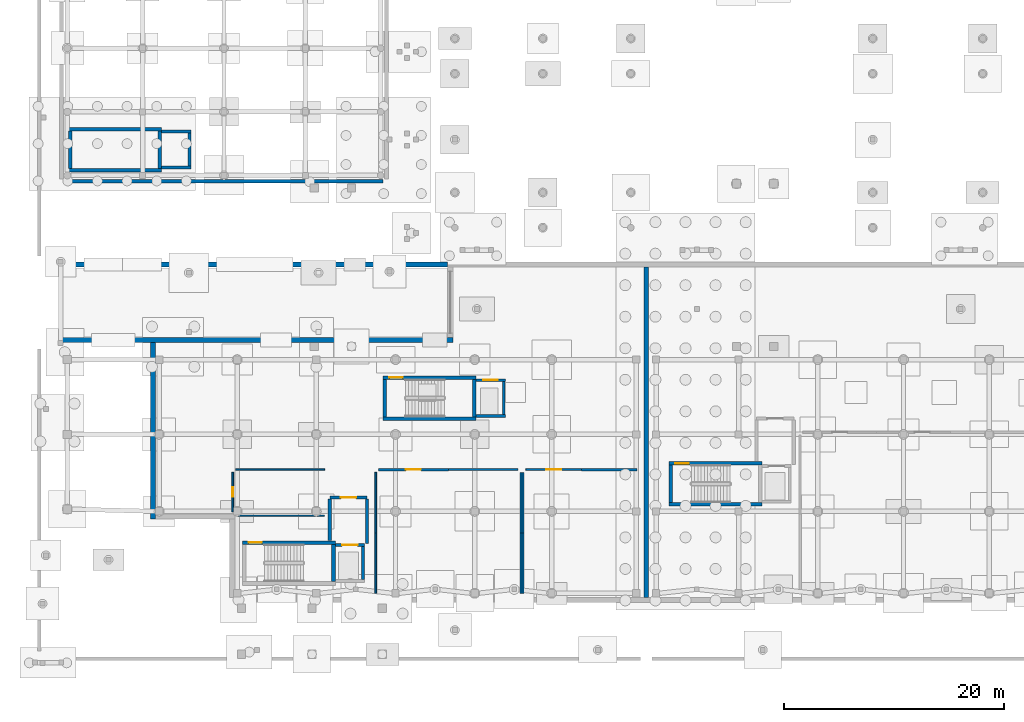
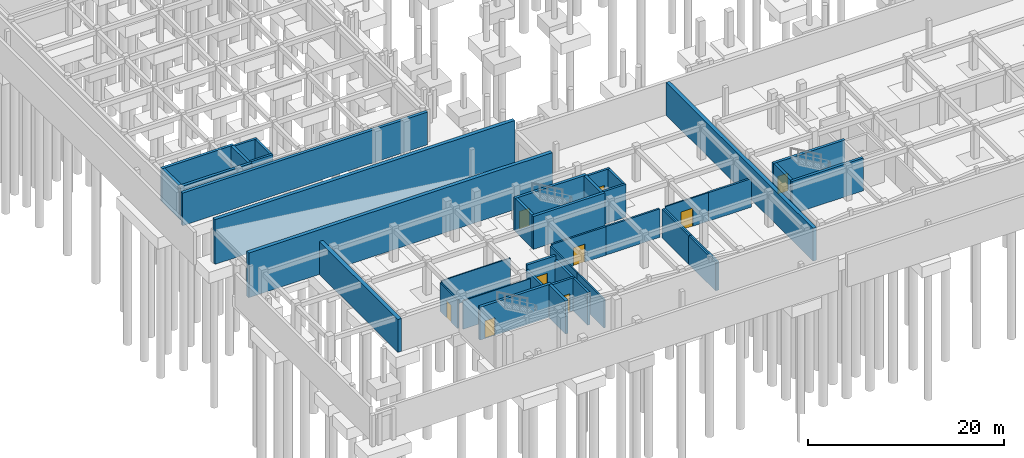
# One storey, part 15 of 22: 42 walls, 9 doors, 9 openings.
"""IFC4 building model written with IfcOpenShell, lengths in metres."""

from ifc_helpers import new_model, si_unit, direction, frame, frame_2d, origin, place, context, subcontext, project, spatial, rectangle, extrude, material, layer, layer_set, type_object, element, fill, save


model = new_model("IFC4")

# Units and contexts
model_context = context("Model", 3, precision=1e-05, world=origin(), true_north=direction((0.0, 1.0)))
body_context = subcontext(model_context, "Body", "Model", "MODEL_VIEW")
ifc_project = project(units=[si_unit("LENGTHUNIT", "METRE"), si_unit("AREAUNIT", "SQUARE_METRE"), si_unit("VOLUMEUNIT", "CUBIC_METRE"), si_unit("PLANEANGLEUNIT", "RADIAN"), si_unit("MASSUNIT", "GRAM", prefix="KILO")], contexts=[model_context])

# Site, building, storey
site_placement = place(None, origin())
site = spatial("IfcSite", under=ifc_project, at=site_placement, CompositionType="ELEMENT")
building_placement = place(site_placement, origin())
building = spatial("IfcBuilding", under=site, at=building_placement, Name="Valcora Specialist Clinic", CompositionType="ELEMENT")
storey_placement = place(building_placement, frame((0.0, 0.0, -4.419921875)))
storey = spatial("IfcBuildingStorey", under=building, at=storey_placement, Name="B1", CompositionType="ELEMENT", Elevation=-4.419921875)

# Wall, opening, door
ifc_material_1 = material(Name="Concrete C40/50", Category="concrete")
ifc_layer_1 = layer(ifc_material_1, 0.284912109375)
ifc_layer_set_1 = layer_set([ifc_layer_1], Name="Concrete C40/50")
wall_type_1 = type_object("IfcWallType", Name="TY-WL-CR285", PredefinedType="SHEAR", material=ifc_layer_set_1)
wall_1_placement = place(storey_placement, frame((24.6201171875, 9.4599609375, 0.0), z_axis=(0.0, 0.0, 1.0), x_axis=(1.0, 0.0, 0.0)))
wall_1 = element("IfcWall", 1, at=wall_1_placement, inside=storey, type_object=wall_type_1, Name="Firefighting lobby front wall WL-FFL-LF-05-B1-F", PredefinedType="SHEAR", context=body_context, shape_type="SweptSolid", body=[
    extrude(rectangle(XDim=3.39990234375, YDim=0.284912109375, at=frame_2d((1.699951171875, 0.0))), origin(), (0.0, 0.0, 1.0), 4.10498046875),
])
opening_1_placement = place(wall_1_placement, frame((1.0, 0.0, 0.0)))
opening_1 = element("IfcOpeningElement", 2, at=opening_1_placement, cuts=wall_1, Name="Opening DR-FF-140", PredefinedType="OPENING", context=body_context, shape_type="SweptSolid", body=[
    extrude(rectangle(XDim=1.39990234375, YDim=2.25, at=frame_2d((0.699951171875, 1.125))), frame((0.0, 0.15234375, 0.0), z_axis=(0.0, -1.0, 0.0), x_axis=(1.0, 0.0, 0.0)), (0.0, 0.0, 1.0), 0.304931640625),
])
ifc_material_2 = material(Name="Galvanized Hollow Metal Door Steel ASTM A653", Category="steel")
door_type_1 = type_object("IfcDoorType", Name="TY-DR-FF140", OperationType="NOTDEFINED", PredefinedType="DOOR", material=ifc_material_2)
door_1_placement = place(opening_1_placement, origin())
door_1 = element("IfcDoor", 3, at=door_1_placement, inside=storey, type_object=door_type_1, Name="Firefighting lobby fire door LF-05 B1", OperationType="SINGLE_SWING_LEFT", OverallHeight=2.25, OverallWidth=1.39990234375, PredefinedType="DOOR", context=body_context, shape_type="SweptSolid", body=[
    extrude(rectangle(XDim=1.39990234375, YDim=2.25, at=frame_2d((0.699951171875, 1.125))), frame((0.0, 0.02490234375, 0.0), z_axis=(0.0, -1.0, 0.0), x_axis=(1.0, 0.0, 0.0)), (0.0, 0.0, 1.0), 0.050048828125),
])
fill(opening_1, door_1)

# Walls
wall_2_placement = place(storey_placement, frame((24.6201171875, 5.5400390625, 0.0), z_axis=(0.0, 0.0, 1.0), x_axis=(0.0, 1.0, 0.0)))
element("IfcWall", 4, at=wall_2_placement, inside=storey, type_object=wall_type_1, Name="Firefighting lobby west wall", PredefinedType="SHEAR", context=body_context, shape_type="SweptSolid", body=[
    extrude(rectangle(XDim=3.77001953125, YDim=0.284912109375, at=frame_2d((1.885009765625, 0.0))), origin(), (0.0, 0.0, 1.0), 3.554931640625),
])
wall_3_placement = place(storey_placement, frame((28.02001953125, 5.280029296875, 0.0), z_axis=(0.0, 0.0, 1.0), x_axis=(0.0, 1.0, 0.0)))
element("IfcWall", 5, at=wall_3_placement, inside=storey, type_object=wall_type_1, Name="Firefighting lobby east wall", PredefinedType="SHEAR", context=body_context, shape_type="SweptSolid", body=[
    extrude(rectangle(XDim=4.030029296875, YDim=0.284912109375, at=frame_2d((2.01513671875, 0.0))), origin(), (0.0, 0.0, 1.0), 3.554931640625),
])
ifc_layer_2 = layer(ifc_material_1, 0.320068359375)
ifc_layer_set_2 = layer_set([ifc_layer_2], Name="Concrete C40/50")
wall_type_2 = type_object("IfcWallType", Name="TY-WL-CR320", PredefinedType="SHEAR", material=ifc_layer_set_2)
for number, where, z_axis, x_axis, name in (
    (6, (0.8798828125, 39.239990234375, 0.0), (0.0, 0.0, 1.0), (1.0, 0.0, 0.0), "Core shear wall WL-CR-C-V1A-B1-S"),
    (7, (0.8798828125, 42.9599609375, 0.0), (0.0, 0.0, 1.0), (1.0, 0.0, 0.0), "Core shear wall WL-CR-C-V1A-B1-N"),
):
    element("IfcWall", number, at=place(storey_placement, frame(where, z_axis=z_axis, x_axis=x_axis)), inside=storey, type_object=wall_type_2, Name=name, PredefinedType="SHEAR", context=body_context, shape_type="SweptSolid", body=[
        extrude(rectangle(XDim=8.440185546875, YDim=0.320068359375, at=frame_2d((4.22021484375, 0.0))), origin(), (0.0, 0.0, 1.0), 4.119873046875),
    ])
for number, where, z_axis, x_axis, name in (
    (8, (1.0400390625, 39.402099609375, 0.0), (0.0, 0.0, 1.0), (0.0, 1.0, 0.0), "Core shear wall WL-CR-C-V1A-B1-W"),
    (9, (9.159912109375, 39.402099609375, 0.0), (0.0, 0.0, 1.0), (0.0, 1.0, 0.0), "Core shear wall WL-CR-C-V1A-B1-E"),
):
    element("IfcWall", number, at=place(storey_placement, frame(where, z_axis=z_axis, x_axis=x_axis)), inside=storey, type_object=wall_type_2, Name=name, PredefinedType="SHEAR", context=body_context, shape_type="SweptSolid", body=[
        extrude(rectangle(XDim=3.39599609375, YDim=0.320068359375, at=frame_2d((1.697998046875, 0.0))), origin(), (0.0, 0.0, 1.0), 4.119873046875),
    ])

# Wall, opening, door
wall_4_placement = place(storey_placement, frame((16.679931640625, 5.360107421875, 0.0), z_axis=(0.0, 0.0, 1.0), x_axis=(1.0, 0.0, 0.0)))
wall_4 = element("IfcWall", 10, at=wall_4_placement, inside=storey, type_object=wall_type_2, Name="Core shear wall WL-CR-C-V5A-B1-N", PredefinedType="SHEAR", context=body_context, shape_type="SweptSolid", body=[
    extrude(rectangle(XDim=8.440185546875, YDim=0.320068359375, at=frame_2d((4.22021484375, 0.0))), origin(), (0.0, 0.0, 1.0), 4.10498046875),
])
opening_2_placement = place(wall_4_placement, frame((0.570068359375, 0.0, 0.0)))
opening_2 = element("IfcOpeningElement", 11, at=opening_2_placement, cuts=wall_4, Name="Opening DR-FD-120", PredefinedType="OPENING", context=body_context, shape_type="SweptSolid", body=[
    extrude(rectangle(XDim=1.199951171875, YDim=2.199951171875, at=frame_2d((0.60009765625, 1.10009765625))), frame((0.0, 0.169921875, 0.0), z_axis=(0.0, -1.0, 0.0), x_axis=(1.0, 0.0, 0.0)), (0.0, 0.0, 1.0), 0.340087890625),
])
door_type_2 = type_object("IfcDoorType", Name="TY-DR-ST120", OperationType="NOTDEFINED", PredefinedType="DOOR", material=ifc_material_2)
door_2_placement = place(opening_2_placement, origin())
door_2 = element("IfcDoor", 12, at=door_2_placement, inside=storey, type_object=door_type_2, Name="Exit stair fire door C-V5A B1", OperationType="SINGLE_SWING_RIGHT", OverallHeight=2.199951171875, OverallWidth=1.199951171875, PredefinedType="DOOR", context=body_context, shape_type="SweptSolid", body=[
    extrude(rectangle(XDim=1.199951171875, YDim=2.199951171875, at=frame_2d((0.60009765625, 1.10009765625))), frame((0.0, 0.02490234375, 0.0), z_axis=(0.0, -1.0, 0.0), x_axis=(1.0, 0.0, 0.0)), (0.0, 0.0, 1.0), 0.050048828125),
])
fill(opening_2, door_2)

# Walls
wall_5_placement = place(storey_placement, frame((24.9599609375, 1.802001953125, 0.0), z_axis=(0.0, 0.0, 1.0), x_axis=(0.0, 1.0, 0.0)))
element("IfcWall", 13, at=wall_5_placement, inside=storey, type_object=wall_type_2, Name="Core shear wall WL-CR-C-V5A-B1-E", PredefinedType="SHEAR", context=body_context, shape_type="SweptSolid", body=[
    extrude(rectangle(XDim=3.39599609375, YDim=0.320068359375, at=frame_2d((1.697998046875, 0.0))), origin(), (0.0, 0.0, 1.0), 4.10498046875),
])
wall_6_placement = place(storey_placement, frame((29.47998046875, 16.639892578125, 0.0), z_axis=(0.0, 0.0, 1.0), x_axis=(1.0, 0.0, 0.0)))
element("IfcWall", 14, at=wall_6_placement, inside=storey, type_object=wall_type_2, Name="Core shear wall WL-CR-C-V5B-B1-S", PredefinedType="SHEAR", context=body_context, shape_type="SweptSolid", body=[
    extrude(rectangle(XDim=8.43994140625, YDim=0.320068359375, at=frame_2d((4.219970703125, 0.0))), origin(), (0.0, 0.0, 1.0), 4.10498046875),
])

# Wall, opening, door
wall_7_placement = place(storey_placement, frame((29.47998046875, 20.360107421875, 0.0), z_axis=(0.0, 0.0, 1.0), x_axis=(1.0, 0.0, 0.0)))
wall_7 = element("IfcWall", 15, at=wall_7_placement, inside=storey, type_object=wall_type_2, Name="Core shear wall WL-CR-C-V5B-B1-N", PredefinedType="SHEAR", context=body_context, shape_type="SweptSolid", body=[
    extrude(rectangle(XDim=8.43994140625, YDim=0.320068359375, at=frame_2d((4.219970703125, 0.0))), origin(), (0.0, 0.0, 1.0), 4.10498046875),
])
opening_3_placement = place(wall_7_placement, frame((0.570068359375, 0.0, 0.0)))
opening_3 = element("IfcOpeningElement", 16, at=opening_3_placement, cuts=wall_7, Name="Opening DR-FD-120", PredefinedType="OPENING", context=body_context, shape_type="SweptSolid", body=[
    extrude(rectangle(XDim=1.199951171875, YDim=2.199951171875, at=frame_2d((0.60009765625, 1.10009765625))), frame((0.0, 0.169921875, 0.0), z_axis=(0.0, -1.0, 0.0), x_axis=(1.0, 0.0, 0.0)), (0.0, 0.0, 1.0), 0.340087890625),
])
door_3_placement = place(opening_3_placement, origin())
door_3 = element("IfcDoor", 17, at=door_3_placement, inside=storey, type_object=door_type_2, Name="Exit stair fire door C-V5B B1", OperationType="SINGLE_SWING_RIGHT", OverallHeight=2.199951171875, OverallWidth=1.199951171875, PredefinedType="DOOR", context=body_context, shape_type="SweptSolid", body=[
    extrude(rectangle(XDim=1.199951171875, YDim=2.199951171875, at=frame_2d((0.60009765625, 1.10009765625))), frame((0.0, 0.02490234375, 0.0), z_axis=(0.0, -1.0, 0.0), x_axis=(1.0, 0.0, 0.0)), (0.0, 0.0, 1.0), 0.050048828125),
])
fill(opening_3, door_3)

# Walls
for number, where, z_axis, x_axis, name in (
    (18, (29.639892578125, 16.802001953125, 0.0), (0.0, 0.0, 1.0), (0.0, 1.0, 0.0), "Core shear wall WL-CR-C-V5B-B1-W"),
    (19, (37.760009765625, 16.802001953125, 0.0), (0.0, 0.0, 1.0), (0.0, 1.0, 0.0), "Core shear wall WL-CR-C-V5B-B1-E"),
):
    element("IfcWall", number, at=place(storey_placement, frame(where, z_axis=z_axis, x_axis=x_axis)), inside=storey, type_object=wall_type_2, Name=name, PredefinedType="SHEAR", context=body_context, shape_type="SweptSolid", body=[
        extrude(rectangle(XDim=3.39599609375, YDim=0.320068359375, at=frame_2d((1.697998046875, 0.0))), origin(), (0.0, 0.0, 1.0), 4.10498046875),
    ])
wall_8_placement = place(storey_placement, frame((55.47998046875, 8.840087890625, 0.0), z_axis=(0.0, 0.0, 1.0), x_axis=(1.0, 0.0, 0.0)))
element("IfcWall", 20, at=wall_8_placement, inside=storey, type_object=wall_type_2, Name="Core shear wall WL-CR-C-V6A-B1-S", PredefinedType="SHEAR", context=body_context, shape_type="SweptSolid", body=[
    extrude(rectangle(XDim=8.43994140625, YDim=0.320068359375, at=frame_2d((4.219970703125, 0.0))), origin(), (0.0, 0.0, 1.0), 4.08984375),
])

# Wall, opening, door
wall_9_placement = place(storey_placement, frame((55.47998046875, 12.56005859375, 0.0), z_axis=(0.0, 0.0, 1.0), x_axis=(1.0, 0.0, 0.0)))
wall_9 = element("IfcWall", 21, at=wall_9_placement, inside=storey, type_object=wall_type_2, Name="Core shear wall WL-CR-C-V6A-B1-N", PredefinedType="SHEAR", context=body_context, shape_type="SweptSolid", body=[
    extrude(rectangle(XDim=8.43994140625, YDim=0.320068359375, at=frame_2d((4.219970703125, 0.0))), origin(), (0.0, 0.0, 1.0), 4.08984375),
])
opening_4_placement = place(wall_9_placement, frame((0.570068359375, 0.0, 0.0)))
opening_4 = element("IfcOpeningElement", 22, at=opening_4_placement, cuts=wall_9, Name="Opening DR-FD-120", PredefinedType="OPENING", context=body_context, shape_type="SweptSolid", body=[
    extrude(rectangle(XDim=1.199951171875, YDim=2.199951171875, at=frame_2d((0.60009765625, 1.10009765625))), frame((0.0, 0.169921875, 0.0), z_axis=(0.0, -1.0, 0.0), x_axis=(1.0, 0.0, 0.0)), (0.0, 0.0, 1.0), 0.340087890625),
])
door_4_placement = place(opening_4_placement, origin())
door_4 = element("IfcDoor", 23, at=door_4_placement, inside=storey, type_object=door_type_2, Name="Exit stair fire door C-V6A B1", OperationType="SINGLE_SWING_LEFT", OverallHeight=2.199951171875, OverallWidth=1.199951171875, PredefinedType="DOOR", context=body_context, shape_type="SweptSolid", body=[
    extrude(rectangle(XDim=1.199951171875, YDim=2.199951171875, at=frame_2d((0.60009765625, 1.10009765625))), frame((0.0, 0.02490234375, 0.0), z_axis=(0.0, -1.0, 0.0), x_axis=(1.0, 0.0, 0.0)), (0.0, 0.0, 1.0), 0.050048828125),
])
fill(opening_4, door_4)

# Walls
wall_10_placement = place(storey_placement, frame((55.639892578125, 9.001953125, 0.0), z_axis=(0.0, 0.0, 1.0), x_axis=(0.0, 1.0, 0.0)))
element("IfcWall", 24, at=wall_10_placement, inside=storey, type_object=wall_type_2, Name="Core shear wall WL-CR-C-V6A-B1-W", PredefinedType="SHEAR", context=body_context, shape_type="SweptSolid", body=[
    extrude(rectangle(XDim=3.39599609375, YDim=0.320068359375, at=frame_2d((1.697998046875, 0.0))), origin(), (0.0, 0.0, 1.0), 4.08984375),
])
ifc_material_3 = material(Name="Extruded Jalisco Clay Brick Masonry", Category="masonry")
ifc_layer_3 = layer(ifc_material_3, 0.35498046875)
ifc_layer_set_3 = layer_set([ifc_layer_3], Name="Extruded Jalisco Clay Brick Masonry")
wall_type_3 = type_object("IfcWallType", Name="TY-WL-EW355", PredefinedType="SOLIDWALL", material=ifc_layer_set_3)
wall_11_placement = place(storey_placement, frame((29.464599609375, 38.219970703125, 0.0), z_axis=(0.0, 0.0, 1.0), x_axis=(-1.0, 0.0, 0.0)))
element("IfcWall", 25, at=wall_11_placement, inside=storey, type_object=wall_type_3, Name="Sub-grade brick plinth wall 4", PredefinedType="SOLIDWALL", context=body_context, shape_type="SweptSolid", body=[
    extrude(rectangle(XDim=28.92919921875, YDim=0.35498046875, at=frame_2d((14.464599609375, 0.0))), origin(), (0.0, 0.0, 1.0), 4.079833984375),
])
ifc_material_4 = material(Name="Gypsum Board Partition Assembly")
ifc_layer_4 = layer(ifc_material_4, 0.094970703125)
ifc_layer_set_4 = layer_set([ifc_layer_4], Name="Gypsum Board Partition Assembly")
wall_type_4 = type_object("IfcWallType", Name="TY-WL-PT095", PredefinedType="PARTITIONING", material=ifc_layer_set_4)
wall_12_placement = place(storey_placement, frame((24.1201171875, 7.800048828125, 0.0), z_axis=(0.0, 0.0, 1.0), x_axis=(-1.0, 0.0, 0.0)))
element("IfcWall", 26, at=wall_12_placement, inside=storey, type_object=wall_type_4, Name="Interior partition WL-INT-B1-0011", PredefinedType="PARTITIONING", context=body_context, shape_type="SweptSolid", body=[
    extrude(rectangle(XDim=7.97119140625, YDim=0.094970703125, at=frame_2d((3.985595703125, 0.0))), origin(), (0.0, 0.0, 1.0), 3.554931640625),
])
ifc_layer_5 = layer(ifc_material_4, 0.135009765625)
ifc_layer_set_5 = layer_set([ifc_layer_5], Name="Gypsum Board Partition Assembly")
wall_type_5 = type_object("IfcWallType", Name="TY-WL-PT135", PredefinedType="PARTITIONING", material=ifc_layer_set_5)
wall_13_placement = place(storey_placement, frame((16.050048828125, 12.0, 0.0), z_axis=(0.0, 0.0, 1.0), x_axis=(1.0, 0.0, 0.0)))
element("IfcWall", 27, at=wall_13_placement, inside=storey, type_object=wall_type_5, Name="Interior partition WL-INT-B1-0013", PredefinedType="PARTITIONING", context=body_context, shape_type="SweptSolid", body=[
    extrude(rectangle(XDim=8.099853515625, YDim=0.135009765625, at=frame_2d((4.0498046875, 0.0))), origin(), (0.0, 0.0, 1.0), 3.554931640625),
])

# Wall, opening, door
ifc_layer_6 = layer(ifc_material_4, 0.14501953125)
ifc_layer_set_6 = layer_set([ifc_layer_6], Name="Gypsum Board Partition Assembly")
wall_type_6 = type_object("IfcWallType", Name="TY-WL-PT145", PredefinedType="PARTITIONING", material=ifc_layer_set_6)
wall_14_placement = place(storey_placement, frame((15.800048828125, 8.14892578125, 0.0), z_axis=(0.0, 0.0, 1.0), x_axis=(0.0, 1.0, 0.0)))
wall_14 = element("IfcWall", 28, at=wall_14_placement, inside=storey, type_object=wall_type_6, Name="Interior partition WL-INT-B1-0012", PredefinedType="PARTITIONING", context=body_context, shape_type="SweptSolid", body=[
    extrude(rectangle(XDim=3.60107421875, YDim=0.14501953125, at=frame_2d((1.800537109375, 0.0))), origin(), (0.0, 0.0, 1.0), 3.554931640625),
])
opening_5_placement = place(wall_14_placement, frame((1.361083984375, 0.0, 0.0)))
opening_5 = element("IfcOpeningElement", 29, at=opening_5_placement, cuts=wall_14, Name="Opening DR-WC-088", PredefinedType="OPENING", context=body_context, shape_type="SweptSolid", body=[
    extrude(rectangle(XDim=0.8798828125, YDim=2.10009765625, at=frame_2d((0.43994140625, 1.050048828125))), frame((0.0, 0.08251953125, 0.0), z_axis=(0.0, -1.0, 0.0), x_axis=(1.0, 0.0, 0.0)), (0.0, 0.0, 1.0), 0.1650390625),
])
ifc_material_5 = material(Name="Glulam Conifer Class 24F", Category="wood")
door_type_3 = type_object("IfcDoorType", Name="TY-DR-WC088", OperationType="NOTDEFINED", PredefinedType="DOOR", material=ifc_material_5)
door_5_placement = place(opening_5_placement, origin())
door_5 = element("IfcDoor", 30, at=door_5_placement, inside=storey, type_object=door_type_3, Name="Interior door DR-INT-B1-0003", OperationType="SINGLE_SWING_LEFT", OverallHeight=2.10009765625, OverallWidth=0.8798828125, PredefinedType="DOOR", context=body_context, shape_type="SweptSolid", body=[
    extrude(rectangle(XDim=0.8798828125, YDim=2.10009765625, at=frame_2d((0.43994140625, 1.050048828125))), frame((0.0, 0.02490234375, 0.0), z_axis=(0.0, -1.0, 0.0), x_axis=(1.0, 0.0, 0.0)), (0.0, 0.0, 1.0), 0.050048828125),
])
fill(opening_5, door_5)

ifc_layer_7 = layer(ifc_material_4, 0.155029296875)
ifc_layer_set_7 = layer_set([ifc_layer_7], Name="Gypsum Board Partition Assembly")
wall_type_7 = type_object("IfcWallType", Name="TY-WL-PT155", PredefinedType="PARTITIONING", material=ifc_layer_set_7)
wall_15_placement = place(storey_placement, frame((42.449951171875, 12.0, 0.0), z_axis=(0.0, 0.0, 1.0), x_axis=(1.0, 0.0, 0.0)))
wall_15 = element("IfcWall", 31, at=wall_15_placement, inside=storey, type_object=wall_type_7, Name="Interior partition WL-INT-B1-0007", PredefinedType="PARTITIONING", context=body_context, shape_type="SweptSolid", body=[
    extrude(rectangle(XDim=5.050048828125, YDim=0.155029296875, at=frame_2d((2.52490234375, 0.0))), origin(), (0.0, 0.0, 1.0), 3.554931640625),
])
opening_6_placement = place(wall_15_placement, frame((1.844970703125, 0.0, 0.0)))
opening_6 = element("IfcOpeningElement", 32, at=opening_6_placement, cuts=wall_15, Name="Opening DR-PL-136", PredefinedType="OPENING", context=body_context, shape_type="SweptSolid", body=[
    extrude(rectangle(XDim=1.360107421875, YDim=2.25, at=frame_2d((0.68017578125, 1.125))), frame((0.0, 0.08740234375, 0.0), z_axis=(0.0, -1.0, 0.0), x_axis=(1.0, 0.0, 0.0)), (0.0, 0.0, 1.0), 0.175048828125),
])
door_type_4 = type_object("IfcDoorType", Name="TY-DR-PL136", OperationType="NOTDEFINED", PredefinedType="DOOR", material=ifc_material_2)
door_6_placement = place(opening_6_placement, origin())
door_6 = element("IfcDoor", 33, at=door_6_placement, inside=storey, type_object=door_type_4, Name="Interior door DR-INT-B1-0002", OperationType="SINGLE_SWING_RIGHT", OverallHeight=2.25, OverallWidth=1.360107421875, PredefinedType="DOOR", context=body_context, shape_type="SweptSolid", body=[
    extrude(rectangle(XDim=1.360107421875, YDim=2.25, at=frame_2d((0.68017578125, 1.125))), frame((0.0, 0.02490234375, 0.0), z_axis=(0.0, -1.0, 0.0), x_axis=(1.0, 0.0, 0.0)), (0.0, 0.0, 1.0), 0.050048828125),
])
fill(opening_6, door_6)

# Walls
ifc_layer_8 = layer(ifc_material_4, 0.1650390625)
ifc_layer_set_8 = layer_set([ifc_layer_8], Name="Gypsum Board Partition Assembly")
wall_type_8 = type_object("IfcWallType", Name="TY-WL-PT165", PredefinedType="PARTITIONING", material=ifc_layer_set_8)
wall_16_placement = place(storey_placement, frame((28.800048828125, 6.25, 0.0), z_axis=(0.0, 0.0, 1.0), x_axis=(0.0, 1.0, 0.0)))
element("IfcWall", 34, at=wall_16_placement, inside=storey, type_object=wall_type_8, Name="Interior partition WL-INT-B1-0006", PredefinedType="PARTITIONING", context=body_context, shape_type="SweptSolid", body=[
    extrude(rectangle(XDim=5.5, YDim=0.1650390625, at=frame_2d((2.75, 0.0))), origin(), (0.0, 0.0, 1.0), 3.554931640625),
])
ifc_layer_9 = layer(ifc_material_4, 0.175048828125)
ifc_layer_set_9 = layer_set([ifc_layer_9], Name="Gypsum Board Partition Assembly")
wall_type_9 = type_object("IfcWallType", Name="TY-WL-PT175", PredefinedType="PARTITIONING", material=ifc_layer_set_9)
wall_17_placement = place(storey_placement, frame((28.800048828125, 0.75, 0.0), z_axis=(0.0, 0.0, 1.0), x_axis=(0.0, 1.0, 0.0)))
element("IfcWall", 35, at=wall_17_placement, inside=storey, type_object=wall_type_9, Name="Interior partition WL-INT-B1-0005", PredefinedType="PARTITIONING", context=body_context, shape_type="SweptSolid", body=[
    extrude(rectangle(XDim=5.5, YDim=0.175048828125, at=frame_2d((2.75, 0.0))), origin(), (0.0, 0.0, 1.0), 3.554931640625),
])
ifc_layer_10 = layer(ifc_material_4, 0.18505859375)
ifc_layer_set_10 = layer_set([ifc_layer_10], Name="Gypsum Board Partition Assembly")
wall_type_10 = type_object("IfcWallType", Name="TY-WL-PT185", PredefinedType="PARTITIONING", material=ifc_layer_set_10)
wall_18_placement = place(storey_placement, frame((42.0, 6.25, 0.0), z_axis=(0.0, 0.0, 1.0), x_axis=(0.0, -1.0, 0.0)))
element("IfcWall", 36, at=wall_18_placement, inside=storey, type_object=wall_type_10, Name="Interior partition WL-INT-B1-0004", PredefinedType="PARTITIONING", context=body_context, shape_type="SweptSolid", body=[
    extrude(rectangle(XDim=5.5, YDim=0.18505859375, at=frame_2d((2.75, 0.0))), origin(), (0.0, 0.0, 1.0), 3.554931640625),
])
ifc_layer_11 = layer(ifc_material_4, 0.195068359375)
ifc_layer_set_11 = layer_set([ifc_layer_11], Name="Gypsum Board Partition Assembly")
wall_type_11 = type_object("IfcWallType", Name="TY-WL-PT195", PredefinedType="PARTITIONING", material=ifc_layer_set_11)
wall_19_placement = place(storey_placement, frame((42.0, 11.75, 0.0), z_axis=(0.0, 0.0, 1.0), x_axis=(0.0, -1.0, 0.0)))
element("IfcWall", 37, at=wall_19_placement, inside=storey, type_object=wall_type_11, Name="Interior partition WL-INT-B1-0003", PredefinedType="PARTITIONING", context=body_context, shape_type="SweptSolid", body=[
    extrude(rectangle(XDim=5.5, YDim=0.195068359375, at=frame_2d((2.75, 0.0))), origin(), (0.0, 0.0, 1.0), 3.554931640625),
])
ifc_material_6 = material(Name="Lead-Lined Gypsum Partition Assembly")
ifc_layer_12 = layer(ifc_material_6, 0.205078125)
ifc_layer_set_12 = layer_set([ifc_layer_12], Name="Lead-Lined Gypsum Partition Assembly")
wall_type_12 = type_object("IfcWallType", Name="TY-WL-PT205", PredefinedType="PARTITIONING", material=ifc_layer_set_12)
wall_20_placement = place(storey_placement, frame((35.39990234375, 12.0, 0.0), z_axis=(0.0, 0.0, 1.0), x_axis=(1.0, 0.0, 0.0)))
element("IfcWall", 38, at=wall_20_placement, inside=storey, type_object=wall_type_12, Name="Interior partition WL-INT-B1-0002", PredefinedType="PARTITIONING", context=body_context, shape_type="SweptSolid", body=[
    extrude(rectangle(XDim=6.35009765625, YDim=0.205078125, at=frame_2d((3.175048828125, 0.0))), origin(), (0.0, 0.0, 1.0), 3.554931640625),
])
wall_21_placement = place(storey_placement, frame((42.199951171875, 6.25, 0.0), z_axis=(0.0, 0.0, 1.0), x_axis=(0.0, 1.0, 0.0)))
element("IfcWall", 39, at=wall_21_placement, inside=storey, type_object=wall_type_12, Name="Interior partition WL-INT-B1-0010", PredefinedType="PARTITIONING", context=body_context, shape_type="SweptSolid", body=[
    extrude(rectangle(XDim=5.5, YDim=0.205078125, at=frame_2d((2.75, 0.0))), origin(), (0.0, 0.0, 1.0), 3.554931640625),
])

# Wall, opening, door
ifc_layer_13 = layer(ifc_material_6, 0.215087890625)
ifc_layer_set_13 = layer_set([ifc_layer_13], Name="Lead-Lined Gypsum Partition Assembly")
wall_type_13 = type_object("IfcWallType", Name="TY-WL-PT215", PredefinedType="PARTITIONING", material=ifc_layer_set_13)
wall_22_placement = place(storey_placement, frame((29.050048828125, 12.0, 0.0), z_axis=(0.0, 0.0, 1.0), x_axis=(1.0, 0.0, 0.0)))
wall_22 = element("IfcWall", 40, at=wall_22_placement, inside=storey, type_object=wall_type_13, Name="Interior partition WL-INT-B1-0001", PredefinedType="PARTITIONING", context=body_context, shape_type="SweptSolid", body=[
    extrude(rectangle(XDim=6.349853515625, YDim=0.215087890625, at=frame_2d((3.1748046875, 0.0))), origin(), (0.0, 0.0, 1.0), 3.554931640625),
])
opening_7_placement = place(wall_22_placement, frame((2.4951171875, 0.0, 0.0)))
opening_7 = element("IfcOpeningElement", 41, at=opening_7_placement, cuts=wall_22, Name="Opening DR-PL-136", PredefinedType="OPENING", context=body_context, shape_type="SweptSolid", body=[
    extrude(rectangle(XDim=1.360107421875, YDim=2.25, at=frame_2d((0.68017578125, 1.125))), frame((0.0, 0.117431640625, 0.0), z_axis=(0.0, -1.0, 0.0), x_axis=(1.0, 0.0, 0.0)), (0.0, 0.0, 1.0), 0.235107421875),
])
door_7_placement = place(opening_7_placement, origin())
door_7 = element("IfcDoor", 42, at=door_7_placement, inside=storey, type_object=door_type_4, Name="Interior door DR-INT-B1-0001", OperationType="SINGLE_SWING_LEFT", OverallHeight=2.25, OverallWidth=1.360107421875, PredefinedType="DOOR", context=body_context, shape_type="SweptSolid", body=[
    extrude(rectangle(XDim=1.360107421875, YDim=2.25, at=frame_2d((0.68017578125, 1.125))), frame((0.0, 0.02490234375, 0.0), z_axis=(0.0, -1.0, 0.0), x_axis=(1.0, 0.0, 0.0)), (0.0, 0.0, 1.0), 0.050048828125),
])
fill(opening_7, door_7)

# Walls
wall_23_placement = place(storey_placement, frame((42.199951171875, 0.75, 0.0), z_axis=(0.0, 0.0, 1.0), x_axis=(0.0, 1.0, 0.0)))
element("IfcWall", 43, at=wall_23_placement, inside=storey, type_object=wall_type_13, Name="Interior partition WL-INT-B1-0009", PredefinedType="PARTITIONING", context=body_context, shape_type="SweptSolid", body=[
    extrude(rectangle(XDim=5.5, YDim=0.215087890625, at=frame_2d((2.75, 0.0))), origin(), (0.0, 0.0, 1.0), 3.554931640625),
])
ifc_layer_14 = layer(ifc_material_6, 0.22998046875)
ifc_layer_set_14 = layer_set([ifc_layer_14], Name="Lead-Lined Gypsum Partition Assembly")
wall_type_14 = type_object("IfcWallType", Name="TY-WL-PT230", PredefinedType="PARTITIONING", material=ifc_layer_set_14)
wall_24_placement = place(storey_placement, frame((47.5, 12.0, 0.0), z_axis=(0.0, 0.0, 1.0), x_axis=(1.0, 0.0, 0.0)))
element("IfcWall", 44, at=wall_24_placement, inside=storey, type_object=wall_type_14, Name="Interior partition WL-INT-B1-0008", PredefinedType="PARTITIONING", context=body_context, shape_type="SweptSolid", body=[
    extrude(rectangle(XDim=5.050048828125, YDim=0.22998046875, at=frame_2d((2.52490234375, 0.0))), origin(), (0.0, 0.0, 1.0), 3.554931640625),
])
ifc_layer_15 = layer(ifc_material_1, 0.429931640625)
ifc_layer_set_15 = layer_set([ifc_layer_15], Name="Concrete C40/50")
wall_type_15 = type_object("IfcWallType", Name="TY-WL-RET430", PredefinedType="SHEAR", material=ifc_layer_set_15)
wall_25_placement = place(storey_placement, frame((53.39990234375, 0.3798828125, 0.0), z_axis=(0.0, 0.0, 1.0), x_axis=(0.0, 1.0, 0.0)))
element("IfcWall", 45, at=wall_25_placement, inside=storey, type_object=wall_type_15, Name="Exterior wall WL-EXT-B1-0002", PredefinedType="SHEAR", context=body_context, shape_type="SweptSolid", body=[
    extrude(rectangle(XDim=30.05517578125, YDim=0.429931640625, at=frame_2d((15.027587890625, 0.0))), origin(), (0.0, 0.0, 1.0), 4.08984375),
])
wall_26_placement = place(storey_placement, frame((0.0, 23.784912109375, 0.0), z_axis=(0.0, 0.0, 1.0), x_axis=(1.0, 0.0, 0.0)))
element("IfcWall", 46, at=wall_26_placement, inside=storey, type_object=wall_type_15, Name="Vehicle ramp south trench wall WL-EXT-B1-0009", PredefinedType="SHEAR", context=body_context, shape_type="SweptSolid", body=[
    extrude(rectangle(XDim=35.81005859375, YDim=0.429931640625, at=frame_2d((17.905029296875, 0.0))), origin(), (0.0, 0.0, 1.0), 5.56982421875),
])
wall_27_placement = place(storey_placement, frame((0.0, 30.64990234375, 0.0), z_axis=(0.0, 0.0, 1.0), x_axis=(1.0, 0.0, 0.0)))
element("IfcWall", 47, at=wall_27_placement, inside=storey, type_object=wall_type_15, Name="Vehicle ramp north trench wall WL-EXT-B1-0010", PredefinedType="SHEAR", context=body_context, shape_type="SweptSolid", body=[
    extrude(rectangle(XDim=35.35009765625, YDim=0.429931640625, at=frame_2d((17.675048828125, 0.0))), origin(), (0.0, 0.0, 1.0), 5.56982421875),
])
ifc_layer_16 = layer(ifc_material_1, 0.4599609375)
ifc_layer_set_16 = layer_set([ifc_layer_16], Name="Concrete C40/50")
wall_type_16 = type_object("IfcWallType", Name="TY-WL-RET460", PredefinedType="SHEAR", material=ifc_layer_set_16)
wall_28_placement = place(storey_placement, frame((8.550048828125, 23.570068359375, 0.0), z_axis=(0.0, 0.0, 1.0), x_axis=(0.0, -1.0, 0.0)))
element("IfcWall", 48, at=wall_28_placement, inside=storey, type_object=wall_type_16, Name="Exterior wall WL-EXT-B1-0003", PredefinedType="SHEAR", context=body_context, shape_type="SweptSolid", body=[
    extrude(rectangle(XDim=16.050048828125, YDim=0.4599609375, at=frame_2d((8.02490234375, 0.0))), origin(), (0.0, 0.0, 1.0), 4.10498046875),
])
ifc_layer_17 = layer(ifc_material_1, 0.260009765625)
ifc_layer_set_17 = layer_set([ifc_layer_17], Name="Concrete C40/50")
wall_type_17 = type_object("IfcWallType", Name="TY-WL-SH260", PredefinedType="SHEAR", material=ifc_layer_set_17)
for number, where, z_axis, x_axis, name in (
    (49, (9.322021484375, 39.469970703125, 0.0), (0.0, 0.0, 1.0), (1.0, 0.0, 0.0), "Lift shaft wall WL-LF-LF-01-B1-LS"),
    (50, (9.322021484375, 42.72998046875, 0.0), (0.0, 0.0, 1.0), (1.0, 0.0, 0.0), "Lift shaft wall WL-LF-LF-01-B1-LN"),
):
    element("IfcWall", number, at=place(storey_placement, frame(where, z_axis=z_axis, x_axis=x_axis)), inside=storey, type_object=wall_type_17, Name=name, PredefinedType="SHEAR", context=body_context, shape_type="SweptSolid", body=[
        extrude(rectangle(XDim=2.657958984375, YDim=0.260009765625, at=frame_2d((1.3291015625, 0.0))), origin(), (0.0, 0.0, 1.0), 4.119873046875),
    ])
wall_29_placement = place(storey_placement, frame((11.85009765625, 39.60205078125, 0.0), z_axis=(0.0, 0.0, 1.0), x_axis=(0.0, 1.0, 0.0)))
element("IfcWall", 51, at=wall_29_placement, inside=storey, type_object=wall_type_17, Name="Lift shaft wall WL-LF-LF-01-B1-LE", PredefinedType="SHEAR", context=body_context, shape_type="SweptSolid", body=[
    extrude(rectangle(XDim=2.995849609375, YDim=0.260009765625, at=frame_2d((1.498046875, 0.0))), origin(), (0.0, 0.0, 1.0), 4.119873046875),
])

# Wall, opening, door
wall_30_placement = place(storey_placement, frame((25.1220703125, 5.1298828125, 0.0), z_axis=(0.0, 0.0, 1.0), x_axis=(1.0, 0.0, 0.0)))
wall_30 = element("IfcWall", 52, at=wall_30_placement, inside=storey, type_object=wall_type_17, Name="Lift shaft wall WL-LF-LF-05-B1-LN", PredefinedType="SHEAR", context=body_context, shape_type="SweptSolid", body=[
    extrude(rectangle(XDim=2.657958984375, YDim=0.260009765625, at=frame_2d((1.3291015625, 0.0))), origin(), (0.0, 0.0, 1.0), 4.10498046875),
])
opening_8_placement = place(wall_30_placement, frame((0.618896484375, 0.0, 0.0)))
opening_8 = element("IfcOpeningElement", 53, at=opening_8_placement, cuts=wall_30, Name="Opening LD-142", PredefinedType="OPENING", context=body_context, shape_type="SweptSolid", body=[
    extrude(rectangle(XDim=1.419921875, YDim=2.25, at=frame_2d((0.7099609375, 1.125))), frame((0.0, 0.139892578125, 0.0), z_axis=(0.0, -1.0, 0.0), x_axis=(1.0, 0.0, 0.0)), (0.0, 0.0, 1.0), 0.280029296875),
])
ifc_material_7 = material(Name="Stainless Steel AISI 316", Category="steel")
door_type_5 = type_object("IfcDoorType", Name="TY-LD-142", OperationType="NOTDEFINED", PredefinedType="DOOR", material=ifc_material_7)
door_8_placement = place(opening_8_placement, origin())
door_8 = element("IfcDoor", 54, at=door_8_placement, inside=storey, type_object=door_type_5, Name="Lift landing sliding door LF-05 B1", OperationType="SLIDING_TO_LEFT", OverallHeight=2.25, OverallWidth=1.419921875, PredefinedType="DOOR", context=body_context, shape_type="SweptSolid", body=[
    extrude(rectangle(XDim=1.419921875, YDim=2.25, at=frame_2d((0.7099609375, 1.125))), frame((0.0, 0.02490234375, 0.0), z_axis=(0.0, -1.0, 0.0), x_axis=(1.0, 0.0, 0.0)), (0.0, 0.0, 1.0), 0.050048828125),
])
fill(opening_8, door_8)

# Walls
wall_31_placement = place(storey_placement, frame((27.64990234375, 2.001953125, 0.0), z_axis=(0.0, 0.0, 1.0), x_axis=(0.0, 1.0, 0.0)))
element("IfcWall", 55, at=wall_31_placement, inside=storey, type_object=wall_type_17, Name="Lift shaft wall WL-LF-LF-05-B1-LE", PredefinedType="SHEAR", context=body_context, shape_type="SweptSolid", body=[
    extrude(rectangle(XDim=2.99609375, YDim=0.260009765625, at=frame_2d((1.498046875, 0.0))), origin(), (0.0, 0.0, 1.0), 4.10498046875),
])
wall_32_placement = place(storey_placement, frame((37.922119140625, 16.8701171875, 0.0), z_axis=(0.0, 0.0, 1.0), x_axis=(1.0, 0.0, 0.0)))
element("IfcWall", 56, at=wall_32_placement, inside=storey, type_object=wall_type_17, Name="Lift shaft wall WL-LF-LF-06-B1-LS", PredefinedType="SHEAR", context=body_context, shape_type="SweptSolid", body=[
    extrude(rectangle(XDim=2.657958984375, YDim=0.260009765625, at=frame_2d((1.3291015625, 0.0))), origin(), (0.0, 0.0, 1.0), 4.10498046875),
])

# Wall, opening, door
wall_33_placement = place(storey_placement, frame((37.922119140625, 20.1298828125, 0.0), z_axis=(0.0, 0.0, 1.0), x_axis=(1.0, 0.0, 0.0)))
wall_33 = element("IfcWall", 57, at=wall_33_placement, inside=storey, type_object=wall_type_17, Name="Lift shaft wall WL-LF-LF-06-B1-LN", PredefinedType="SHEAR", context=body_context, shape_type="SweptSolid", body=[
    extrude(rectangle(XDim=2.657958984375, YDim=0.260009765625, at=frame_2d((1.3291015625, 0.0))), origin(), (0.0, 0.0, 1.0), 4.10498046875),
])
opening_9_placement = place(wall_33_placement, frame((0.678955078125, 0.0, 0.0)))
opening_9 = element("IfcOpeningElement", 58, at=opening_9_placement, cuts=wall_33, Name="Opening LD-130", PredefinedType="OPENING", context=body_context, shape_type="SweptSolid", body=[
    extrude(rectangle(XDim=1.300048828125, YDim=2.199951171875, at=frame_2d((0.64990234375, 1.10009765625))), frame((0.0, 0.139892578125, 0.0), z_axis=(0.0, -1.0, 0.0), x_axis=(1.0, 0.0, 0.0)), (0.0, 0.0, 1.0), 0.280029296875),
])
door_type_6 = type_object("IfcDoorType", Name="TY-LD-130", OperationType="NOTDEFINED", PredefinedType="DOOR", material=ifc_material_7)
door_9_placement = place(opening_9_placement, origin())
door_9 = element("IfcDoor", 59, at=door_9_placement, inside=storey, type_object=door_type_6, Name="Lift landing sliding door LF-06 B1", OperationType="SLIDING_TO_RIGHT", OverallHeight=2.199951171875, OverallWidth=1.300048828125, PredefinedType="DOOR", context=body_context, shape_type="SweptSolid", body=[
    extrude(rectangle(XDim=1.300048828125, YDim=2.199951171875, at=frame_2d((0.64990234375, 1.10009765625))), frame((0.0, 0.02490234375, 0.0), z_axis=(0.0, -1.0, 0.0), x_axis=(1.0, 0.0, 0.0)), (0.0, 0.0, 1.0), 0.050048828125),
])
fill(opening_9, door_9)

# Wall
wall_34_placement = place(storey_placement, frame((40.449951171875, 17.001953125, 0.0), z_axis=(0.0, 0.0, 1.0), x_axis=(0.0, 1.0, 0.0)))
element("IfcWall", 60, at=wall_34_placement, inside=storey, type_object=wall_type_17, Name="Lift shaft wall WL-LF-LF-06-B1-LE", PredefinedType="SHEAR", context=body_context, shape_type="SweptSolid", body=[
    extrude(rectangle(XDim=2.99609375, YDim=0.260009765625, at=frame_2d((1.498046875, 0.0))), origin(), (0.0, 0.0, 1.0), 4.10498046875),
])

save(model, "model.ifc")
